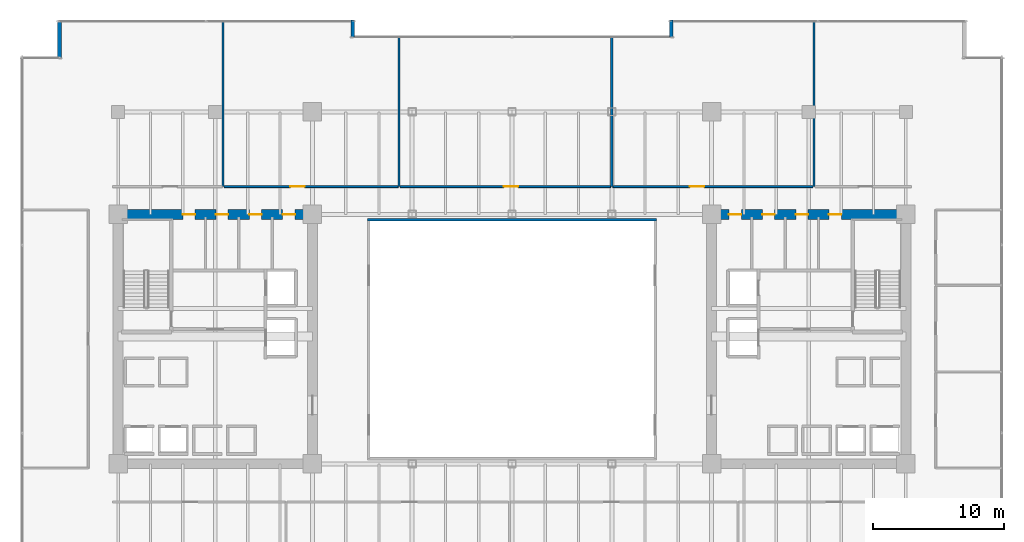
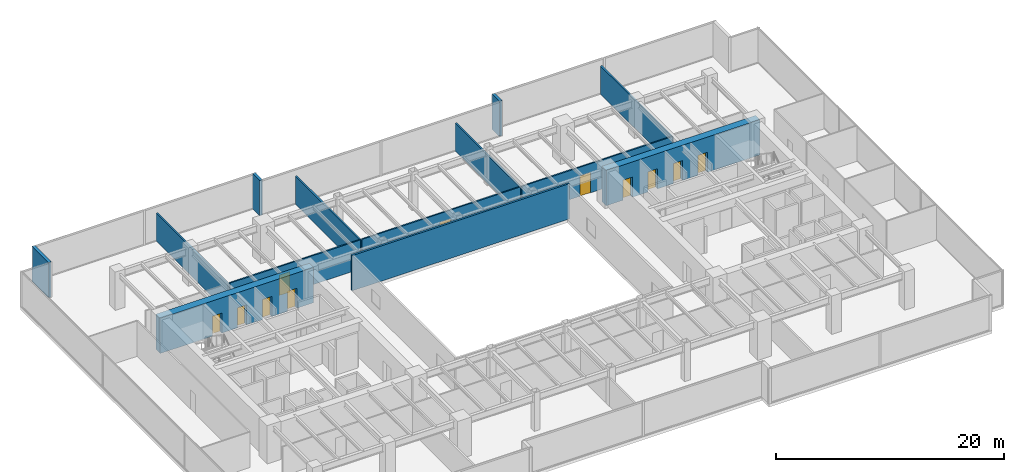
# One storey, part 31 of 35: 13 walls, 11 doors, 11 openings.
"""IFC4 building model written with IfcOpenShell, lengths in metres."""

from ifc_helpers import new_model, si_unit, direction, frame, frame_2d, origin, place, context, subcontext, project, spatial, rectangle, extrude, source, transform, mapped, material, layer, layer_set, type_object, type_shapes, element, fill, save


model = new_model("IFC4")

# Units and contexts
model_context = context("Model", 3, precision=1e-05, world=origin(), true_north=direction((0.0, 1.0)))
body_context = subcontext(model_context, "Body", "Model", "MODEL_VIEW")
ifc_project = project(units=[si_unit("LENGTHUNIT", "METRE"), si_unit("AREAUNIT", "SQUARE_METRE"), si_unit("VOLUMEUNIT", "CUBIC_METRE"), si_unit("PLANEANGLEUNIT", "RADIAN"), si_unit("MASSUNIT", "GRAM", prefix="KILO")], contexts=[model_context])

# Site, building, storey
site_placement = place(None, origin())
site = spatial("IfcSite", under=ifc_project, at=site_placement, CompositionType="ELEMENT")
building_placement = place(site_placement, origin())
building = spatial("IfcBuilding", under=site, at=building_placement, Name="Haelvirn Gate Laboratories", CompositionType="ELEMENT")
storey_placement = place(building_placement, frame((0.0, 0.0, 66.199951171875)))
storey = spatial("IfcBuildingStorey", under=building, at=storey_placement, Name="L16", CompositionType="ELEMENT", Elevation=66.199951171875)

# Walls
ifc_material_1 = material(Name="Thermally-broken bronze aluminium rainscreen & mineral wool", Category="aluminium")
ifc_layer_1 = layer(ifc_material_1, 0.280029296875, Name="EW-TERR-280")
ifc_layer_set_1 = layer_set([ifc_layer_1], Name="Thermally-broken bronze aluminium rainscreen & mineral wool")
wall_type_1 = type_object("IfcWallType", Name="EW-TERR-280", PredefinedType="STANDARD", material=ifc_layer_set_1)
for number, where, z_axis, x_axis, name in (
    (1, (49.5400390625, 48.60009765625, 0.0), (0.0, 0.0, 1.0), (0.0, -1.0, 0.0), "L16 Atrium Recess Bronze Return Wall 11"),
    (2, (25.260009765625, 47.31201171875, 0.0), (0.0, 0.0, 1.0), (0.0, 1.0, 0.0), "L16 Atrium Recess Bronze Return Wall 13"),
):
    element("IfcWall", number, at=place(storey_placement, frame(where, z_axis=z_axis, x_axis=x_axis)), inside=storey, type_object=wall_type_1, Name=name, PredefinedType="STANDARD", context=body_context, shape_type="SweptSolid", body=[
        extrude(rectangle(XDim=1.2880859375, YDim=0.280029296875, at=frame_2d((0.64404296875, 0.0))), origin(), (0.0, 0.0, 1.0), 3.780029296875),
    ])
wall_1_placement = place(storey_placement, frame((2.93994140625, 48.60009765625, 0.0), z_axis=(0.0, 0.0, 1.0), x_axis=(0.0, -1.0, 0.0)))
element("IfcWall", 3, at=wall_1_placement, inside=storey, type_object=wall_type_1, Name="L16 Atrium Recess Bronze Return Wall 15", PredefinedType="STANDARD", context=body_context, shape_type="SweptSolid", body=[
    extrude(rectangle(XDim=2.88818359375, YDim=0.280029296875, at=frame_2d((1.444091796875, 0.0))), origin(), (0.0, 0.0, 1.0), 3.780029296875),
])
ifc_material_2 = material(Name="Double-layer acoustic gypsum laboratory partition", Category="gypsum")
ifc_layer_2 = layer(ifc_material_2, 0.159912109375, Name="IW-ACOUST-160")
ifc_layer_set_2 = layer_set([ifc_layer_2], Name="Double-layer acoustic gypsum laboratory partition")
wall_type_2 = type_object("IfcWallType", Name="IW-ACOUST-160", PredefinedType="PARTITIONING", material=ifc_layer_set_2)
wall_2_placement = place(storey_placement, frame((15.39990234375, 35.909912109375, 0.0), z_axis=(0.0, 0.0, 1.0), x_axis=(0.0, 1.0, 0.0)))
element("IfcWall", 4, at=wall_2_placement, inside=storey, type_object=wall_type_2, Name="L16 Interior Wall IW-L16-NDIV-01", PredefinedType="PARTITIONING", context=body_context, shape_type="SweptSolid", body=[
    extrude(rectangle(XDim=12.580078125, YDim=0.159912109375, at=frame_2d((6.2900390625, 0.0))), origin(), (0.0, 0.0, 1.0), 3.01513671875),
])
for number, where, z_axis, x_axis, name in (
    (5, (28.800048828125, 35.909912109375, 0.0), (0.0, 0.0, 1.0), (0.0, 1.0, 0.0), "L16 Interior Wall IW-L16-NDIV-02"),
    (6, (45.0, 35.909912109375, 0.0), (0.0, 0.0, 1.0), (0.0, 1.0, 0.0), "L16 Interior Wall IW-L16-NDIV-03"),
):
    element("IfcWall", number, at=place(storey_placement, frame(where, z_axis=z_axis, x_axis=x_axis)), inside=storey, type_object=wall_type_2, Name=name, PredefinedType="PARTITIONING", context=body_context, shape_type="SweptSolid", body=[
        extrude(rectangle(XDim=11.380126953125, YDim=0.159912109375, at=frame_2d((5.68994140625, 0.0))), origin(), (0.0, 0.0, 1.0), 3.01513671875),
    ])
wall_3_placement = place(storey_placement, frame((60.39990234375, 35.909912109375, 0.0), z_axis=(0.0, 0.0, 1.0), x_axis=(0.0, 1.0, 0.0)))
element("IfcWall", 7, at=wall_3_placement, inside=storey, type_object=wall_type_2, Name="L16 Interior Wall IW-L16-NDIV-04", PredefinedType="PARTITIONING", context=body_context, shape_type="SweptSolid", body=[
    extrude(rectangle(XDim=12.580078125, YDim=0.159912109375, at=frame_2d((6.2900390625, 0.0))), origin(), (0.0, 0.0, 1.0), 3.01513671875),
])
ifc_material_3 = material(Name="Tempered fire-rated borosilicate glass & anodised aluminium", Category="aluminium")
ifc_layer_3 = layer(ifc_material_3, 0.195068359375, Name="IW-GLAZ-200")
ifc_layer_set_3 = layer_set([ifc_layer_3], Name="Tempered fire-rated borosilicate glass & anodised aluminium")
wall_type_3 = type_object("IfcWallType", Name="IW-GLAZ-200", PredefinedType="SOLIDWALL", material=ifc_layer_set_3)
wall_4_placement = place(storey_placement, frame((26.39990234375, 33.39990234375, 0.0), z_axis=(0.0, 0.0, 1.0), x_axis=(1.0, 0.0, 0.0)))
element("IfcWall", 8, at=wall_4_placement, inside=storey, type_object=wall_type_3, Name="L16 Interior Wall IW-L16-ATRIUM-N", PredefinedType="SOLIDWALL", context=body_context, shape_type="SweptSolid", body=[
    extrude(rectangle(XDim=22.0, YDim=0.195068359375, at=frame_2d((11.0, 0.0))), origin(), (0.0, 0.0, 1.0), 3.780029296875),
])

# Wall, opening, door
ifc_material_4 = material(Name="Acoustic mineral-wool gypsum board partition", Category="gypsum")
ifc_layer_4 = layer(ifc_material_4, 0.139892578125, Name="IW-PART-140")
ifc_layer_set_4 = layer_set([ifc_layer_4], Name="Acoustic mineral-wool gypsum board partition")
wall_type_4 = type_object("IfcWallType", Name="IW-PART-140", PredefinedType="PARTITIONING", material=ifc_layer_set_4)
wall_5_placement = place(storey_placement, frame((15.47998046875, 35.909912109375, 0.0), z_axis=(0.0, 0.0, 1.0), x_axis=(1.0, 0.0, 0.0)))
wall_5 = element("IfcWall", 9, at=wall_5_placement, inside=storey, type_object=wall_type_4, Name="L16 Interior Wall IW-L16-NCORR-02", PredefinedType="PARTITIONING", context=body_context, shape_type="SweptSolid", body=[
    extrude(rectangle(XDim=13.239990234375, YDim=0.139892578125, at=frame_2d((6.6201171875, 0.0))), origin(), (0.0, 0.0, 1.0), 3.114990234375),
])
opening_1_placement = place(wall_5_placement, frame((5.040283203125, 0.0, 0.0)))
opening_1 = element("IfcOpeningElement", 10, at=opening_1_placement, cuts=wall_5, Name="Opening D1", PredefinedType="OPENING", context=body_context, shape_type="SweptSolid", body=[
    extrude(rectangle(XDim=1.10009765625, YDim=2.179931640625, at=frame_2d((0.550048828125, 1.08984375))), frame((0.0, 0.080078125, 0.0), z_axis=(0.0, -1.0, 0.0), x_axis=(1.0, 0.0, 0.0)), (0.0, 0.0, 1.0), 0.159912109375),
])
ifc_material_5 = material(Name="Vision-panel acoustic solid-core timber lab door", Category="wood")
door_type_1 = type_object("IfcDoorType", Name="DR-LAB-1100", OperationType="NOTDEFINED", PredefinedType="DOOR", material=ifc_material_5)
shared_shape_1 = source(origin(), body_context, "Body", "SweptSolid", [
    extrude(rectangle(XDim=1.10009765625, YDim=2.179931640625, at=frame_2d((0.550048828125, 1.08984375))), frame((0.0, 0.02490234375, 0.0), z_axis=(0.0, -1.0, 0.0), x_axis=(1.0, 0.0, 0.0)), (0.0, 0.0, 1.0), 0.050048828125),
])
type_shapes(door_type_1, [shared_shape_1])
door_1_placement = place(opening_1_placement, origin())
door_1 = element("IfcDoor", 11, at=door_1_placement, inside=storey, type_object=door_type_1, Name="L16 Protocol Briefing Training Room Door N2", OperationType="SINGLE_SWING_LEFT", OverallHeight=2.179931640625, OverallWidth=1.10009765625, PredefinedType="DOOR", context=body_context, shape_type="MappedRepresentation", body=[
    mapped(shared_shape_1, transform((0.0, 0.0, 0.0), scale=1.0)),
])
fill(opening_1, door_1)

wall_6_placement = place(storey_placement, frame((28.8798828125, 35.909912109375, 0.0), z_axis=(0.0, 0.0, 1.0), x_axis=(1.0, 0.0, 0.0)))
wall_6 = element("IfcWall", 12, at=wall_6_placement, inside=storey, type_object=wall_type_4, Name="L16 Interior Wall IW-L16-NCORR-03", PredefinedType="PARTITIONING", context=body_context, shape_type="SweptSolid", body=[
    extrude(rectangle(XDim=16.0400390625, YDim=0.139892578125, at=frame_2d((8.02001953125, 0.0))), origin(), (0.0, 0.0, 1.0), 3.114990234375),
])
opening_2_placement = place(wall_6_placement, frame((7.897216796875, 0.0, 0.0)))
opening_2 = element("IfcOpeningElement", 13, at=opening_2_placement, cuts=wall_6, Name="Opening D1", PredefinedType="OPENING", context=body_context, shape_type="SweptSolid", body=[
    extrude(rectangle(XDim=1.10009765625, YDim=2.179931640625, at=frame_2d((0.550048828125, 1.08984375))), frame((0.0, 0.080078125, 0.0), z_axis=(0.0, -1.0, 0.0), x_axis=(1.0, 0.0, 0.0)), (0.0, 0.0, 1.0), 0.159912109375),
])
door_2_placement = place(opening_2_placement, origin())
door_2 = element("IfcDoor", 14, at=door_2_placement, inside=storey, type_object=door_type_1, Name="L16 Postdoctoral Reading Lounge Door N3", OperationType="SINGLE_SWING_RIGHT", OverallHeight=2.179931640625, OverallWidth=1.10009765625, PredefinedType="DOOR", context=body_context, shape_type="MappedRepresentation", body=[
    mapped(shared_shape_1, transform((0.0, 0.0, 0.0), scale=1.0)),
])
fill(opening_2, door_2)

wall_7_placement = place(storey_placement, frame((45.080078125, 35.909912109375, 0.0), z_axis=(0.0, 0.0, 1.0), x_axis=(1.0, 0.0, 0.0)))
wall_7 = element("IfcWall", 15, at=wall_7_placement, inside=storey, type_object=wall_type_4, Name="L16 Interior Wall IW-L16-NCORR-04", PredefinedType="PARTITIONING", context=body_context, shape_type="SweptSolid", body=[
    extrude(rectangle(XDim=15.239990234375, YDim=0.139892578125, at=frame_2d((7.6201171875, 0.0))), origin(), (0.0, 0.0, 1.0), 3.114990234375),
])
opening_3_placement = place(wall_7_placement, frame((5.8603515625, 0.0, 0.0)))
opening_3 = element("IfcOpeningElement", 16, at=opening_3_placement, cuts=wall_7, Name="Opening D1", PredefinedType="OPENING", context=body_context, shape_type="SweptSolid", body=[
    extrude(rectangle(XDim=1.10009765625, YDim=2.179931640625, at=frame_2d((0.550048828125, 1.08984375))), frame((0.0, 0.080078125, 0.0), z_axis=(0.0, -1.0, 0.0), x_axis=(1.0, 0.0, 0.0)), (0.0, 0.0, 1.0), 0.159912109375),
])
door_3_placement = place(opening_3_placement, origin())
door_3 = element("IfcDoor", 17, at=door_3_placement, inside=storey, type_object=door_type_1, Name="L16 Researcher Quiet Study Door N4", OperationType="SINGLE_SWING_LEFT", OverallHeight=2.179931640625, OverallWidth=1.10009765625, PredefinedType="DOOR", context=body_context, shape_type="MappedRepresentation", body=[
    mapped(shared_shape_1, transform((0.0, 0.0, 0.0), scale=1.0)),
])
fill(opening_3, door_3)

# Wall, openings, doors
ifc_material_6 = material(Name="Concrete C70/85", Category="concrete")
ifc_layer_5 = layer(ifc_material_6, 0.75, Name="SW-CORE-750")
ifc_layer_set_5 = layer_set([ifc_layer_5], Name="Concrete C70/85")
wall_type_5 = type_object("IfcWallType", Name="SW-CORE-750", PredefinedType="SHEAR", material=ifc_layer_set_5)
wall_8_placement = place(storey_placement, frame((7.02490234375, 33.800048828125, 0.0), z_axis=(0.0, 0.0, 1.0), x_axis=(1.0, 0.0, 0.0)))
wall_8 = element("IfcWall", 18, at=wall_8_placement, inside=storey, type_object=wall_type_5, Name="L16 W Core Shear Wall N", PredefinedType="SHEAR", context=body_context, shape_type="SweptSolid", body=[
    extrude(rectangle(XDim=15.550048828125, YDim=0.75, at=frame_2d((7.77490234375, 0.0))), origin(), (0.0, 0.0, 1.0), 3.780029296875),
])
opening_4_placement = place(wall_8_placement, frame((5.300048828125, 0.0, 0.0)))
opening_4 = element("IfcOpeningElement", 19, at=opening_4_placement, cuts=wall_8, Name="Opening FD4", PredefinedType="OPENING", context=body_context, shape_type="SweptSolid", body=[
    extrude(rectangle(XDim=0.949951171875, YDim=2.14990234375, at=frame_2d((0.47509765625, 1.074951171875))), frame((0.0, 0.385009765625, 0.0), z_axis=(0.0, -1.0, 0.0), x_axis=(1.0, 0.0, 0.0)), (0.0, 0.0, 1.0), 0.77001953125),
])
opening_5_placement = place(wall_8_placement, frame((7.81494140625, 0.0, 0.0)))
opening_5 = element("IfcOpeningElement", 20, at=opening_5_placement, cuts=wall_8, Name="Opening FD4", PredefinedType="OPENING", context=body_context, shape_type="SweptSolid", body=[
    extrude(rectangle(XDim=0.949951171875, YDim=2.14990234375, at=frame_2d((0.47509765625, 1.074951171875))), frame((0.0, 0.385009765625, 0.0), z_axis=(0.0, -1.0, 0.0), x_axis=(1.0, 0.0, 0.0)), (0.0, 0.0, 1.0), 0.77001953125),
])
opening_6_placement = place(wall_8_placement, frame((10.364990234375, 0.0, 0.0)))
opening_6 = element("IfcOpeningElement", 21, at=opening_6_placement, cuts=wall_8, Name="Opening FD4", PredefinedType="OPENING", context=body_context, shape_type="SweptSolid", body=[
    extrude(rectangle(XDim=0.949951171875, YDim=2.14990234375, at=frame_2d((0.47509765625, 1.074951171875))), frame((0.0, 0.385009765625, 0.0), z_axis=(0.0, -1.0, 0.0), x_axis=(1.0, 0.0, 0.0)), (0.0, 0.0, 1.0), 0.77001953125),
])
opening_7_placement = place(wall_8_placement, frame((12.9150390625, 0.0, 0.0)))
opening_7 = element("IfcOpeningElement", 22, at=opening_7_placement, cuts=wall_8, Name="Opening FD4", PredefinedType="OPENING", context=body_context, shape_type="SweptSolid", body=[
    extrude(rectangle(XDim=0.949951171875, YDim=2.14990234375, at=frame_2d((0.47509765625, 1.074951171875))), frame((0.0, 0.385009765625, 0.0), z_axis=(0.0, -1.0, 0.0), x_axis=(1.0, 0.0, 0.0)), (0.0, 0.0, 1.0), 0.77001953125),
])
ifc_material_7 = material(Name="Fire-rated steel SM355 core service door", Category="steel")
door_type_2 = type_object("IfcDoorType", Name="DR-FD-950", OperationType="NOTDEFINED", PredefinedType="DOOR", material=ifc_material_7)
shared_shape_2 = source(origin(), body_context, "Body", "SweptSolid", [
    extrude(rectangle(XDim=0.949951171875, YDim=2.14990234375, at=frame_2d((0.47509765625, 1.074951171875))), frame((0.0, 0.02490234375, 0.0), z_axis=(0.0, -1.0, 0.0), x_axis=(1.0, 0.0, 0.0)), (0.0, 0.0, 1.0), 0.050048828125),
])
type_shapes(door_type_2, [shared_shape_2])
door_4_placement = place(opening_4_placement, origin())
door_4 = element("IfcDoor", 23, at=door_4_placement, inside=storey, type_object=door_type_2, Name="L16 Male Restroom Fire Door", OperationType="SINGLE_SWING_LEFT", OverallHeight=2.14990234375, OverallWidth=0.949951171875, PredefinedType="DOOR", context=body_context, shape_type="MappedRepresentation", body=[
    mapped(shared_shape_2, transform((0.0, 0.0, 0.0), scale=1.0)),
])
fill(opening_4, door_4)
door_5_placement = place(opening_5_placement, origin())
door_5 = element("IfcDoor", 24, at=door_5_placement, inside=storey, type_object=door_type_2, Name="L16 Female Restroom Fire Door", OperationType="SINGLE_SWING_RIGHT", OverallHeight=2.14990234375, OverallWidth=0.949951171875, PredefinedType="DOOR", context=body_context, shape_type="MappedRepresentation", body=[
    mapped(shared_shape_2, transform((0.0, 0.0, 0.0), scale=1.0)),
])
fill(opening_5, door_5)
door_6_placement = place(opening_6_placement, origin())
door_6 = element("IfcDoor", 25, at=door_6_placement, inside=storey, type_object=door_type_2, Name="L16 Accessible Restroom Fire Door", OperationType="SINGLE_SWING_LEFT", OverallHeight=2.14990234375, OverallWidth=0.949951171875, PredefinedType="DOOR", context=body_context, shape_type="MappedRepresentation", body=[
    mapped(shared_shape_2, transform((0.0, 0.0, 0.0), scale=1.0)),
])
fill(opening_6, door_6)
door_7_placement = place(opening_7_placement, origin())
door_7 = element("IfcDoor", 26, at=door_7_placement, inside=storey, type_object=door_type_2, Name="L16 Decontamination Shower Washroom Fire Door", OperationType="SINGLE_SWING_RIGHT", OverallHeight=2.14990234375, OverallWidth=0.949951171875, PredefinedType="DOOR", context=body_context, shape_type="MappedRepresentation", body=[
    mapped(shared_shape_2, transform((0.0, 0.0, 0.0), scale=1.0)),
])
fill(opening_7, door_7)

wall_9_placement = place(storey_placement, frame((52.22509765625, 33.800048828125, 0.0), z_axis=(0.0, 0.0, 1.0), x_axis=(1.0, 0.0, 0.0)))
wall_9 = element("IfcWall", 27, at=wall_9_placement, inside=storey, type_object=wall_type_5, Name="L16 E Core Shear Wall N", PredefinedType="SHEAR", context=body_context, shape_type="SweptSolid", body=[
    extrude(rectangle(XDim=15.5498046875, YDim=0.75, at=frame_2d((7.77490234375, 0.0))), origin(), (0.0, 0.0, 1.0), 3.780029296875),
])
opening_8_placement = place(wall_9_placement, frame((9.300048828125, 0.0, 0.0)))
opening_8 = element("IfcOpeningElement", 28, at=opening_8_placement, cuts=wall_9, Name="Opening FD4", PredefinedType="OPENING", context=body_context, shape_type="SweptSolid", body=[
    extrude(rectangle(XDim=0.949951171875, YDim=2.14990234375, at=frame_2d((0.47509765625, 1.074951171875))), frame((0.0, 0.385009765625, 0.0), z_axis=(0.0, -1.0, 0.0), x_axis=(1.0, 0.0, 0.0)), (0.0, 0.0, 1.0), 0.77001953125),
])
opening_9_placement = place(wall_9_placement, frame((6.784912109375, 0.0, 0.0)))
opening_9 = element("IfcOpeningElement", 29, at=opening_9_placement, cuts=wall_9, Name="Opening FD4", PredefinedType="OPENING", context=body_context, shape_type="SweptSolid", body=[
    extrude(rectangle(XDim=0.949951171875, YDim=2.14990234375, at=frame_2d((0.47509765625, 1.074951171875))), frame((0.0, 0.385009765625, 0.0), z_axis=(0.0, -1.0, 0.0), x_axis=(1.0, 0.0, 0.0)), (0.0, 0.0, 1.0), 0.77001953125),
])
opening_10_placement = place(wall_9_placement, frame((4.235107421875, 0.0, 0.0)))
opening_10 = element("IfcOpeningElement", 30, at=opening_10_placement, cuts=wall_9, Name="Opening FD4", PredefinedType="OPENING", context=body_context, shape_type="SweptSolid", body=[
    extrude(rectangle(XDim=0.949951171875, YDim=2.14990234375, at=frame_2d((0.47509765625, 1.074951171875))), frame((0.0, 0.385009765625, 0.0), z_axis=(0.0, -1.0, 0.0), x_axis=(1.0, 0.0, 0.0)), (0.0, 0.0, 1.0), 0.77001953125),
])
opening_11_placement = place(wall_9_placement, frame((1.68505859375, 0.0, 0.0)))
opening_11 = element("IfcOpeningElement", 31, at=opening_11_placement, cuts=wall_9, Name="Opening FD4", PredefinedType="OPENING", context=body_context, shape_type="SweptSolid", body=[
    extrude(rectangle(XDim=0.949951171875, YDim=2.14990234375, at=frame_2d((0.47509765625, 1.074951171875))), frame((0.0, 0.385009765625, 0.0), z_axis=(0.0, -1.0, 0.0), x_axis=(1.0, 0.0, 0.0)), (0.0, 0.0, 1.0), 0.77001953125),
])
door_8_placement = place(opening_8_placement, origin())
door_8 = element("IfcDoor", 32, at=door_8_placement, inside=storey, type_object=door_type_2, Name="L16 Male Restroom Fire Door", OperationType="SINGLE_SWING_LEFT", OverallHeight=2.14990234375, OverallWidth=0.949951171875, PredefinedType="DOOR", context=body_context, shape_type="MappedRepresentation", body=[
    mapped(shared_shape_2, transform((0.0, 0.0, 0.0), scale=1.0)),
])
fill(opening_8, door_8)
door_9_placement = place(opening_9_placement, origin())
door_9 = element("IfcDoor", 33, at=door_9_placement, inside=storey, type_object=door_type_2, Name="L16 Female Restroom Fire Door", OperationType="SINGLE_SWING_RIGHT", OverallHeight=2.14990234375, OverallWidth=0.949951171875, PredefinedType="DOOR", context=body_context, shape_type="MappedRepresentation", body=[
    mapped(shared_shape_2, transform((0.0, 0.0, 0.0), scale=1.0)),
])
fill(opening_9, door_9)
door_10_placement = place(opening_10_placement, origin())
door_10 = element("IfcDoor", 34, at=door_10_placement, inside=storey, type_object=door_type_2, Name="L16 Accessible Restroom Fire Door", OperationType="SINGLE_SWING_LEFT", OverallHeight=2.14990234375, OverallWidth=0.949951171875, PredefinedType="DOOR", context=body_context, shape_type="MappedRepresentation", body=[
    mapped(shared_shape_2, transform((0.0, 0.0, 0.0), scale=1.0)),
])
fill(opening_10, door_10)
door_11_placement = place(opening_11_placement, origin())
door_11 = element("IfcDoor", 35, at=door_11_placement, inside=storey, type_object=door_type_2, Name="L16 Decontamination Shower Washroom Fire Door", OperationType="SINGLE_SWING_RIGHT", OverallHeight=2.14990234375, OverallWidth=0.949951171875, PredefinedType="DOOR", context=body_context, shape_type="MappedRepresentation", body=[
    mapped(shared_shape_2, transform((0.0, 0.0, 0.0), scale=1.0)),
])
fill(opening_11, door_11)

save(model, "model.ifc")
